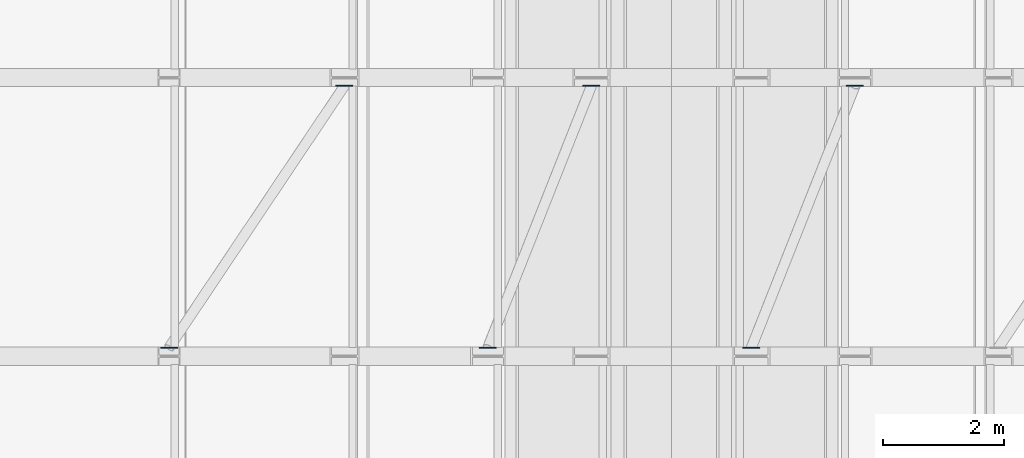
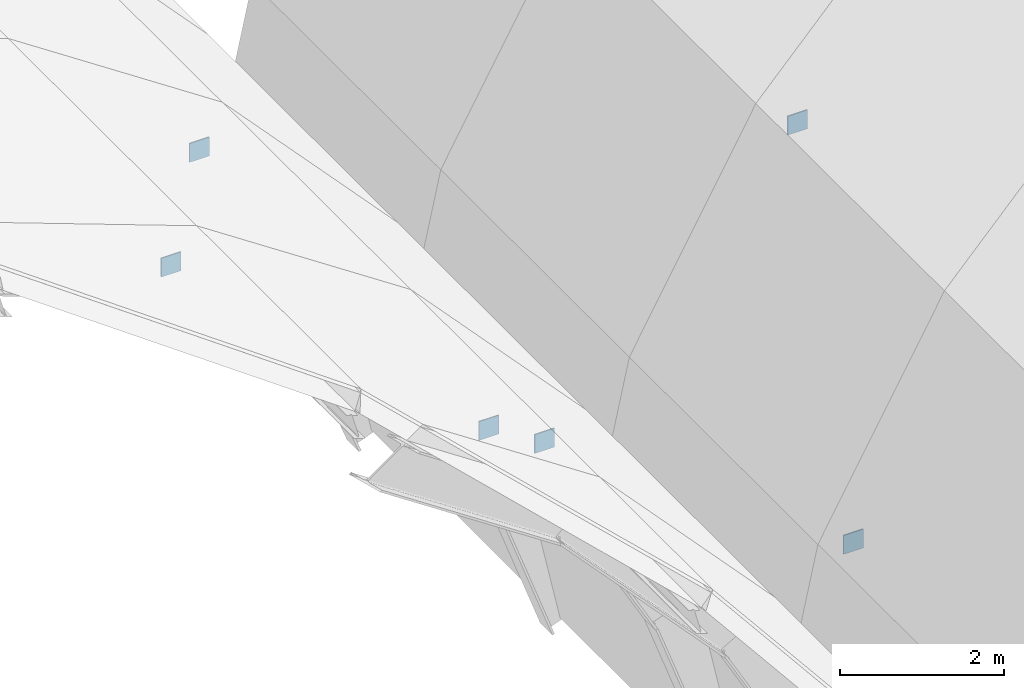
# One storey, part 31 of 47: 6 plates.
"""IFC4 building model written with IfcOpenShell, lengths in metres."""

from ifc_helpers import new_model, si_unit, direction, frame, origin, origin_2d, place, context, subcontext, project, spatial, rectangle, extrude, material, layer, layer_set, type_object, element, save


model = new_model("IFC4")

# Units and contexts
model_context = context("Model", 3, precision=1e-05, world=origin(), true_north=direction((0.0, 1.0)))
body_context = subcontext(model_context, "Body", "Model", "MODEL_VIEW")
ifc_project = project(units=[si_unit("LENGTHUNIT", "METRE"), si_unit("AREAUNIT", "SQUARE_METRE"), si_unit("VOLUMEUNIT", "CUBIC_METRE"), si_unit("PLANEANGLEUNIT", "RADIAN"), si_unit("MASSUNIT", "GRAM", prefix="KILO")], contexts=[model_context])

# Site, building, storey
site_placement = place(None, origin())
site = spatial("IfcSite", under=ifc_project, at=site_placement, CompositionType="ELEMENT")
building_placement = place(site_placement, origin())
building = spatial("IfcBuilding", under=site, at=building_placement, Name="Muzn Square Opera House", CompositionType="ELEMENT")
storey_placement = place(building_placement, frame((0.0, 0.0, 31.0)))
storey = spatial("IfcBuildingStorey", under=building, at=storey_placement, Name="RF-1", CompositionType="ELEMENT", Elevation=31.0)

# Plates
ifc_material = material(Name="Steel S355", Category="steel")
ifc_layer = layer(ifc_material, 0.01806640625, Name="Steel S355", Category="steel")
ifc_layer_set = layer_set([ifc_layer], Name="Steel S355")
plate_type = type_object("IfcPlateType", Name="Brace Cap Plate 18mm 280x280", PredefinedType="USERDEFINED", material=ifc_layer_set)
for number, where, z_axis, x_axis, name in (
    (1, (94.71142578125, 58.93994140625, -1.90966796875), (0.0, 0.0, 1.0), (1.0, 0.0, 0.0), "Vault Wind Brace End Cap Plate V2-08-14-A"),
    (2, (97.6044921875, 63.260009765625, -3.83349609375), (0.0, 0.0, 1.0), (1.0, 0.0, 0.0), "Vault Wind Brace End Cap Plate V2-08-14-B"),
    (3, (99.970703125, 58.93994140625, -6.37744140625), (0.0, 0.0, 1.0), (1.0, 0.0, 0.0), "Vault Wind Brace End Cap Plate V2-08-18-A"),
    (4, (101.680419921875, 63.260009765625, -9.40185546875), (0.0, 0.0, 1.0), (1.0, 0.0, 0.0), "Vault Wind Brace End Cap Plate V2-08-18-B"),
    (5, (104.319580078125, 58.93994140625, -9.40185546875), (0.0, 0.0, 1.0), (1.0, 0.0, 0.0), "Vault Wind Brace End Cap Plate V3-08-04-A"),
    (6, (106.029296875, 63.260009765625, -6.37744140625), (0.0, 0.0, 1.0), (1.0, 0.0, 0.0), "Vault Wind Brace End Cap Plate V3-08-04-B"),
):
    element("IfcPlate", number, at=place(storey_placement, frame(where, z_axis=z_axis, x_axis=x_axis)), inside=storey, type_object=plate_type, Name=name, ObjectType="GUSSET PLATE", PredefinedType="USERDEFINED", context=body_context, shape_type="SweptSolid", body=[
        extrude(rectangle(XDim=0.280029296875, YDim=0.01806640625, at=origin_2d()), origin(), (0.0, 0.0, 1.0), 0.280029296875),
    ])

save(model, "model.ifc")
